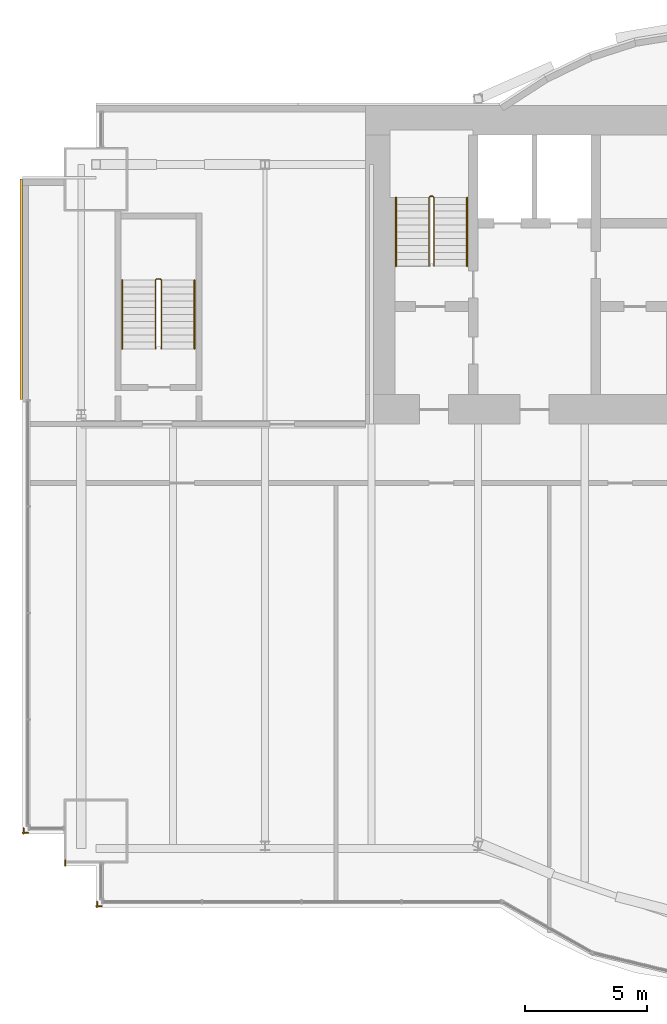
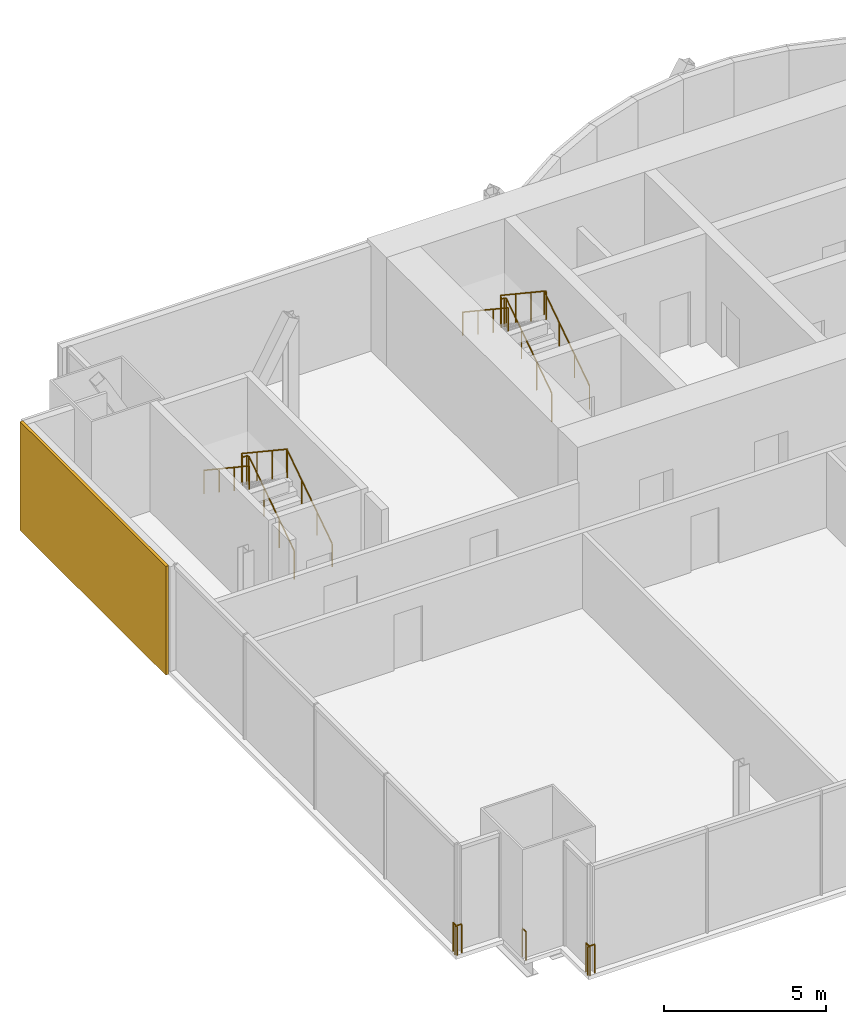
# One storey, part 18 of 20: 9 railings, 1 covering.
"""IFC4 building model written with IfcOpenShell, lengths in metres."""

from ifc_helpers import new_model, si_unit, direction, frame, origin, origin_2d, place, context, subcontext, project, spatial, rectangle, circle, extrude, material, layer, layer_set, type_object, element, save


model = new_model("IFC4")

# Units and contexts
model_context = context("Model", 3, precision=1e-05, world=origin(), true_north=direction((0.0, 1.0)))
body_context = subcontext(model_context, "Body", "Model", "MODEL_VIEW")
ifc_project = project(units=[si_unit("LENGTHUNIT", "METRE"), si_unit("AREAUNIT", "SQUARE_METRE"), si_unit("VOLUMEUNIT", "CUBIC_METRE"), si_unit("PLANEANGLEUNIT", "RADIAN"), si_unit("MASSUNIT", "GRAM", prefix="KILO")], contexts=[model_context])

# Site, building, storey
site_placement = place(None, origin())
site = spatial("IfcSite", under=ifc_project, at=site_placement, CompositionType="ELEMENT")
building_placement = place(site_placement, origin())
building = spatial("IfcBuilding", under=site, at=building_placement, Name="Bicima Exchange Tower", CompositionType="ELEMENT")
storey_placement = place(building_placement, frame((0.0, 0.0, 199.10009765625)))
storey = spatial("IfcBuildingStorey", under=building, at=storey_placement, Name="L44", CompositionType="ELEMENT", Elevation=199.10009765625)

# Covering
ifc_material_1 = material(Name="Bronze metal cladding")
ifc_layer_1 = layer(ifc_material_1, 0.004)
ifc_material_2 = material(Name="Ventilated cavity")
ifc_layer_2 = layer(ifc_material_2, 0.06)
ifc_material_3 = material(Name="Galvanised steel rail and mineral wool", Category="steel")
ifc_layer_3 = layer(ifc_material_3, 0.036)
ifc_layer_set = layer_set([ifc_layer_1, ifc_layer_2, ifc_layer_3], Name="Ventilated cavity")
covering_type = type_object("IfcCoveringType", Name="Bronze metal cladding panel 100", PredefinedType="CLADDING", material=ifc_layer_set)
covering_placement = place(storey_placement, frame((-36.050048828125, -7.5, -0.150146484375), z_axis=(0.0, 0.0, 1.0), x_axis=(0.0, -1.0, 0.0)))
element("IfcCovering", 1, at=covering_placement, inside=storey, type_object=covering_type, Name="Bronze cladding L44 23.1", PredefinedType="CLADDING", context=body_context, shape_type="SweptSolid", body=[
    extrude(rectangle(XDim=9.0, YDim=0.10009765625, at=origin_2d()), origin(), (0.0, 0.0, 1.0), 4.10009765625),
])

# Railings
ifc_material_4 = material(Name="Stainless steel and bonded safety glass", Category="steel")
railing_type_1 = type_object("IfcRailingType", Name="Edge guard 1100", PredefinedType="GUARDRAIL", material=ifc_material_4)
railing_1_placement = place(storey_placement, frame((-35.757080078125, -29.677978515625, 0.0)))
element("IfcRailing", 2, at=railing_1_placement, inside=storey, type_object=railing_type_1, Name="Edge guard L44 219", PredefinedType="GUARDRAIL", context=body_context, shape_type="SweptSolid", body=[
    extrude(circle(Radius=0.02392578125, at=origin_2d()), frame((0.0, 0.0, 1.076171875), z_axis=(-1.0, 0.0, 0.0), x_axis=(0.0, -1.0, 0.0)), (0.0, 0.0, 1.0), 0.242919921875),
    extrude(circle(Radius=0.02392578125, at=origin_2d()), frame((-0.242919921875, 0.0, 1.076171875), z_axis=(0.707106781187, -0.707106781187, 0.0), x_axis=(0.707106781187, 0.707106781187, 0.0)), (0.0, 0.0, 1.0), 0.07080078125),
    extrude(circle(Radius=0.02392578125, at=origin_2d()), frame((-0.19287109375, -0.050048828125, 1.076171875), z_axis=(0.0, 1.0, 0.0), x_axis=(-1.0, 0.0, 0.0)), (0.0, 0.0, 1.0), 0.25),
    extrude(circle(Radius=0.02099609375, at=origin_2d()), origin(), (0.0, 0.0, 1.0), 1.052001953125),
    extrude(circle(Radius=0.02099609375, at=origin_2d()), frame((-0.242919921875, 0.0, 0.0)), (0.0, 0.0, 1.0), 1.052001953125),
    extrude(circle(Radius=0.02099609375, at=origin_2d()), frame((-0.19287109375, -0.050048828125, 0.0)), (0.0, 0.0, 1.0), 1.052001953125),
    extrude(circle(Radius=0.02099609375, at=origin_2d()), frame((-0.19287109375, 0.199951171875, 0.0)), (0.0, 0.0, 1.0), 1.052001953125),
])
railing_2_placement = place(storey_placement, frame((-32.75, -32.677978515625, 0.0)))
element("IfcRailing", 3, at=railing_2_placement, inside=storey, type_object=railing_type_1, Name="Edge guard L44 223", PredefinedType="GUARDRAIL", context=body_context, shape_type="SweptSolid", body=[
    extrude(circle(Radius=0.02392578125, at=origin_2d()), frame((0.0, 0.0, 1.076171875), z_axis=(-1.0, 0.0, 0.0), x_axis=(0.0, -1.0, 0.0)), (0.0, 0.0, 1.0), 0.25),
    extrude(circle(Radius=0.02392578125, at=origin_2d()), frame((-0.25, 0.0, 1.076171875), z_axis=(0.707106781187, -0.707106781187, 0.0), x_axis=(0.707106781187, 0.707106781187, 0.0)), (0.0, 0.0, 1.0), 0.07080078125),
    extrude(circle(Radius=0.02392578125, at=origin_2d()), frame((-0.199951171875, -0.050048828125, 1.076171875), z_axis=(0.0, 1.0, 0.0), x_axis=(-1.0, 0.0, 0.0)), (0.0, 0.0, 1.0), 0.242919921875),
    extrude(circle(Radius=0.02099609375, at=origin_2d()), origin(), (0.0, 0.0, 1.0), 1.052001953125),
    extrude(circle(Radius=0.02099609375, at=origin_2d()), frame((-0.25, 0.0, 0.0)), (0.0, 0.0, 1.0), 1.052001953125),
    extrude(circle(Radius=0.02099609375, at=origin_2d()), frame((-0.199951171875, -0.050048828125, 0.0)), (0.0, 0.0, 1.0), 1.052001953125),
    extrude(circle(Radius=0.02099609375, at=origin_2d()), frame((-0.199951171875, 0.19287109375, 0.0)), (0.0, 0.0, 1.0), 1.052001953125),
])
railing_3_placement = place(storey_placement, frame((-34.25, -31.028076171875, 0.0)))
element("IfcRailing", 4, at=railing_3_placement, inside=storey, type_object=railing_type_1, Name="Edge guard L44 224", PredefinedType="GUARDRAIL", context=body_context, shape_type="SweptSolid", body=[
    extrude(circle(Radius=0.02392578125, at=origin_2d()), frame((0.0, 0.0, 1.076171875), z_axis=(0.0, 1.0, 0.0), x_axis=(-1.0, 0.0, 0.0)), (0.0, 0.0, 1.0), 0.217041015625),
    extrude(circle(Radius=0.02099609375, at=origin_2d()), origin(), (0.0, 0.0, 1.0), 1.052001953125),
    extrude(circle(Radius=0.02099609375, at=origin_2d()), frame((0.0, 0.217041015625, 0.0)), (0.0, 0.0, 1.0), 1.052001953125),
])
ifc_material_5 = material(Name="Stainless steel", Category="steel")
railing_type_2 = type_object("IfcRailingType", Name="Stair guard 1100", PredefinedType="GUARDRAIL", material=ifc_material_5)
railing_4_placement = place(storey_placement, frame((-19.199951171875, -6.550048828125, 0.186279296875)))
element("IfcRailing", 5, at=railing_4_placement, inside=storey, type_object=railing_type_2, Name="L44 ST-W stair guard 1", PredefinedType="GUARDRAIL", context=body_context, shape_type="SweptSolid", body=[
    extrude(circle(Radius=0.02392578125, at=origin_2d()), frame((0.0, 0.0, 1.076171875), z_axis=(0.0, 0.832485552168, 0.554046753832), x_axis=(-1.0, 0.0, 0.0)), (0.0, 0.0, 1.0), 3.363525390625),
    extrude(circle(Radius=0.02392578125, at=origin_2d()), frame((0.0, 2.800048828125, 2.939453125), z_axis=(-0.707106781187, 0.707106781187, 0.0), x_axis=(-0.707106781187, -0.707106781187, 0.0)), (0.0, 0.0, 1.0), 0.07080078125),
    extrude(circle(Radius=0.02392578125, at=origin_2d()), frame((-0.050048828125, 2.85009765625, 2.939453125), z_axis=(-1.0, 0.0, 0.0), x_axis=(0.0, -1.0, 0.0)), (0.0, 0.0, 1.0), 0.10009765625),
    extrude(circle(Radius=0.02392578125, at=origin_2d()), frame((-0.150146484375, 2.85009765625, 2.939453125), z_axis=(-0.249722437352, -0.250946566947, 0.935235010476), x_axis=(0.708833529934, -0.705375805398, 0.0)), (0.0, 0.0, 1.0), 0.199462890625),
    extrude(circle(Radius=0.02392578125, at=origin_2d()), frame((-0.199951171875, 2.800048828125, 3.1259765625), z_axis=(0.0, -0.832485552168, 0.554046753832), x_axis=(1.0, 0.0, 0.0)), (0.0, 0.0, 1.0), 3.363525390625),
    extrude(circle(Radius=0.02099609375, at=origin_2d()), origin(), (0.0, 0.0, 1.0), 1.052001953125),
    extrude(circle(Radius=0.02099609375, at=origin_2d()), frame((0.0, 0.933349609375, 0.62109375)), (0.0, 0.0, 1.0), 1.052001953125),
    extrude(circle(Radius=0.02099609375, at=origin_2d()), frame((0.0, 1.86669921875, 1.242431640625)), (0.0, 0.0, 1.0), 1.052001953125),
    extrude(circle(Radius=0.02099609375, at=origin_2d()), frame((0.0, 2.800048828125, 1.863525390625)), (0.0, 0.0, 1.0), 1.052001953125),
    extrude(circle(Radius=0.02099609375, at=origin_2d()), frame((-0.050048828125, 2.85009765625, 1.863525390625)), (0.0, 0.0, 1.0), 1.052001953125),
    extrude(circle(Radius=0.02099609375, at=origin_2d()), frame((-0.150146484375, 2.85009765625, 1.863525390625)), (0.0, 0.0, 1.0), 1.052001953125),
    extrude(circle(Radius=0.02099609375, at=origin_2d()), frame((-0.199951171875, 2.800048828125, 2.050048828125)), (0.0, 0.0, 1.0), 1.052001953125),
    extrude(circle(Radius=0.02099609375, at=origin_2d()), frame((-0.199951171875, 1.86669921875, 2.671142578125)), (0.0, 0.0, 1.0), 1.052001953125),
    extrude(circle(Radius=0.02099609375, at=origin_2d()), frame((-0.199951171875, 0.933349609375, 3.29248046875)), (0.0, 0.0, 1.0), 1.052001953125),
    extrude(circle(Radius=0.02099609375, at=origin_2d()), frame((-0.199951171875, 0.0, 3.91357421875)), (0.0, 0.0, 1.0), 1.052001953125),
])
railing_5_placement = place(storey_placement, frame((-30.324951171875, -9.925048828125, 0.186279296875)))
element("IfcRailing", 6, at=railing_5_placement, inside=storey, type_object=railing_type_2, Name="L44 ST-WW stair guard 1", PredefinedType="GUARDRAIL", context=body_context, shape_type="SweptSolid", body=[
    extrude(circle(Radius=0.02392578125, at=origin_2d()), frame((0.0, 0.0, 1.076171875), z_axis=(0.0, 0.832485552168, 0.554046753832), x_axis=(-1.0, 0.0, 0.0)), (0.0, 0.0, 1.0), 3.363525390625),
    extrude(circle(Radius=0.02392578125, at=origin_2d()), frame((0.0, 2.800048828125, 2.939453125), z_axis=(-0.707106781187, 0.707106781187, 0.0), x_axis=(-0.707106781187, -0.707106781187, 0.0)), (0.0, 0.0, 1.0), 0.07080078125),
    extrude(circle(Radius=0.02392578125, at=origin_2d()), frame((-0.050048828125, 2.85009765625, 2.939453125), z_axis=(-1.0, 0.0, 0.0), x_axis=(0.0, -1.0, 0.0)), (0.0, 0.0, 1.0), 0.14990234375),
    extrude(circle(Radius=0.02392578125, at=origin_2d()), frame((-0.199951171875, 2.85009765625, 2.939453125), z_axis=(-0.250869701741, -0.250869701741, 0.934948546978), x_axis=(0.707106781187, -0.707106781187, 0.0)), (0.0, 0.0, 1.0), 0.199462890625),
    extrude(circle(Radius=0.02392578125, at=origin_2d()), frame((-0.25, 2.800048828125, 3.1259765625), z_axis=(0.0, -0.832485552168, 0.554046753832), x_axis=(1.0, 0.0, 0.0)), (0.0, 0.0, 1.0), 3.363525390625),
    extrude(circle(Radius=0.02099609375, at=origin_2d()), origin(), (0.0, 0.0, 1.0), 1.052001953125),
    extrude(circle(Radius=0.02099609375, at=origin_2d()), frame((0.0, 0.933349609375, 0.62109375)), (0.0, 0.0, 1.0), 1.052001953125),
    extrude(circle(Radius=0.02099609375, at=origin_2d()), frame((0.0, 1.86669921875, 1.242431640625)), (0.0, 0.0, 1.0), 1.052001953125),
    extrude(circle(Radius=0.02099609375, at=origin_2d()), frame((0.0, 2.800048828125, 1.863525390625)), (0.0, 0.0, 1.0), 1.052001953125),
    extrude(circle(Radius=0.02099609375, at=origin_2d()), frame((-0.050048828125, 2.85009765625, 1.863525390625)), (0.0, 0.0, 1.0), 1.052001953125),
    extrude(circle(Radius=0.02099609375, at=origin_2d()), frame((-0.199951171875, 2.85009765625, 1.863525390625)), (0.0, 0.0, 1.0), 1.052001953125),
    extrude(circle(Radius=0.02099609375, at=origin_2d()), frame((-0.25, 2.800048828125, 2.050048828125)), (0.0, 0.0, 1.0), 1.052001953125),
    extrude(circle(Radius=0.02099609375, at=origin_2d()), frame((-0.25, 1.86669921875, 2.671142578125)), (0.0, 0.0, 1.0), 1.052001953125),
    extrude(circle(Radius=0.02099609375, at=origin_2d()), frame((-0.25, 0.933349609375, 3.29248046875)), (0.0, 0.0, 1.0), 1.052001953125),
    extrude(circle(Radius=0.02099609375, at=origin_2d()), frame((-0.25, 0.0, 3.91357421875)), (0.0, 0.0, 1.0), 1.052001953125),
])
railing_type_3 = type_object("IfcRailingType", Name="Stair handrail 900", PredefinedType="HANDRAIL", material=ifc_material_5)
railing_6_placement = place(storey_placement, frame((-17.85009765625, -6.550048828125, 0.186279296875)))
element("IfcRailing", 7, at=railing_6_placement, inside=storey, type_object=railing_type_3, Name="L44 ST-W stair handrail 1", PredefinedType="HANDRAIL", context=body_context, shape_type="SweptSolid", body=[
    extrude(circle(Radius=0.02392578125, at=origin_2d()), frame((0.0, 0.0, 0.8759765625), z_axis=(0.0, 0.832485552168, 0.554046753832), x_axis=(-1.0, 0.0, 0.0)), (0.0, 0.0, 1.0), 3.363525390625),
    extrude(circle(Radius=0.02099609375, at=origin_2d()), origin(), (0.0, 0.0, 1.0), 0.851806640625),
    extrude(circle(Radius=0.02099609375, at=origin_2d()), frame((0.0, 0.933349609375, 0.62109375)), (0.0, 0.0, 1.0), 0.851806640625),
    extrude(circle(Radius=0.02099609375, at=origin_2d()), frame((0.0, 1.86669921875, 1.242431640625)), (0.0, 0.0, 1.0), 0.851806640625),
    extrude(circle(Radius=0.02099609375, at=origin_2d()), frame((0.0, 2.800048828125, 1.863525390625)), (0.0, 0.0, 1.0), 0.851806640625),
])
railing_7_placement = place(storey_placement, frame((-20.75, -3.75, 2.276611328125)))
element("IfcRailing", 8, at=railing_7_placement, inside=storey, type_object=railing_type_3, Name="L44 ST-W stair handrail 2", PredefinedType="HANDRAIL", context=body_context, shape_type="SweptSolid", body=[
    extrude(circle(Radius=0.02392578125, at=origin_2d()), frame((0.0, 0.0, 0.8759765625), z_axis=(0.0, -0.832452072856, 0.554097055034), x_axis=(1.0, 0.0, 0.0)), (0.0, 0.0, 1.0), 3.363525390625),
    extrude(circle(Radius=0.02099609375, at=origin_2d()), origin(), (0.0, 0.0, 1.0), 0.851806640625),
    extrude(circle(Radius=0.02099609375, at=origin_2d()), frame((0.0, -0.933349609375, 0.621337890625)), (0.0, 0.0, 1.0), 0.851806640625),
    extrude(circle(Radius=0.02099609375, at=origin_2d()), frame((0.0, -1.86669921875, 1.242431640625)), (0.0, 0.0, 1.0), 0.851806640625),
    extrude(circle(Radius=0.02099609375, at=origin_2d()), frame((0.0, -2.800048828125, 1.86376953125)), (0.0, 0.0, 1.0), 0.851806640625),
])
railing_8_placement = place(storey_placement, frame((-28.97509765625, -9.925048828125, 0.186279296875)))
element("IfcRailing", 9, at=railing_8_placement, inside=storey, type_object=railing_type_3, Name="L44 ST-WW stair handrail 1", PredefinedType="HANDRAIL", context=body_context, shape_type="SweptSolid", body=[
    extrude(circle(Radius=0.02392578125, at=origin_2d()), frame((0.0, 0.0, 0.8759765625), z_axis=(0.0, 0.832485552168, 0.554046753832), x_axis=(-1.0, 0.0, 0.0)), (0.0, 0.0, 1.0), 3.363525390625),
    extrude(circle(Radius=0.02099609375, at=origin_2d()), origin(), (0.0, 0.0, 1.0), 0.851806640625),
    extrude(circle(Radius=0.02099609375, at=origin_2d()), frame((0.0, 0.933349609375, 0.62109375)), (0.0, 0.0, 1.0), 0.851806640625),
    extrude(circle(Radius=0.02099609375, at=origin_2d()), frame((0.0, 1.86669921875, 1.242431640625)), (0.0, 0.0, 1.0), 0.851806640625),
    extrude(circle(Radius=0.02099609375, at=origin_2d()), frame((0.0, 2.800048828125, 1.863525390625)), (0.0, 0.0, 1.0), 0.851806640625),
])
railing_9_placement = place(storey_placement, frame((-31.925048828125, -7.125, 2.276611328125)))
element("IfcRailing", 10, at=railing_9_placement, inside=storey, type_object=railing_type_3, Name="L44 ST-WW stair handrail 2", PredefinedType="HANDRAIL", context=body_context, shape_type="SweptSolid", body=[
    extrude(circle(Radius=0.02392578125, at=origin_2d()), frame((0.0, 0.0, 0.8759765625), z_axis=(0.0, -0.832452072856, 0.554097055034), x_axis=(1.0, 0.0, 0.0)), (0.0, 0.0, 1.0), 3.363525390625),
    extrude(circle(Radius=0.02099609375, at=origin_2d()), origin(), (0.0, 0.0, 1.0), 0.851806640625),
    extrude(circle(Radius=0.02099609375, at=origin_2d()), frame((0.0, -0.933349609375, 0.621337890625)), (0.0, 0.0, 1.0), 0.851806640625),
    extrude(circle(Radius=0.02099609375, at=origin_2d()), frame((0.0, -1.86669921875, 1.242431640625)), (0.0, 0.0, 1.0), 0.851806640625),
    extrude(circle(Radius=0.02099609375, at=origin_2d()), frame((0.0, -2.800048828125, 1.86376953125)), (0.0, 0.0, 1.0), 0.851806640625),
])

save(model, "model.ifc")
